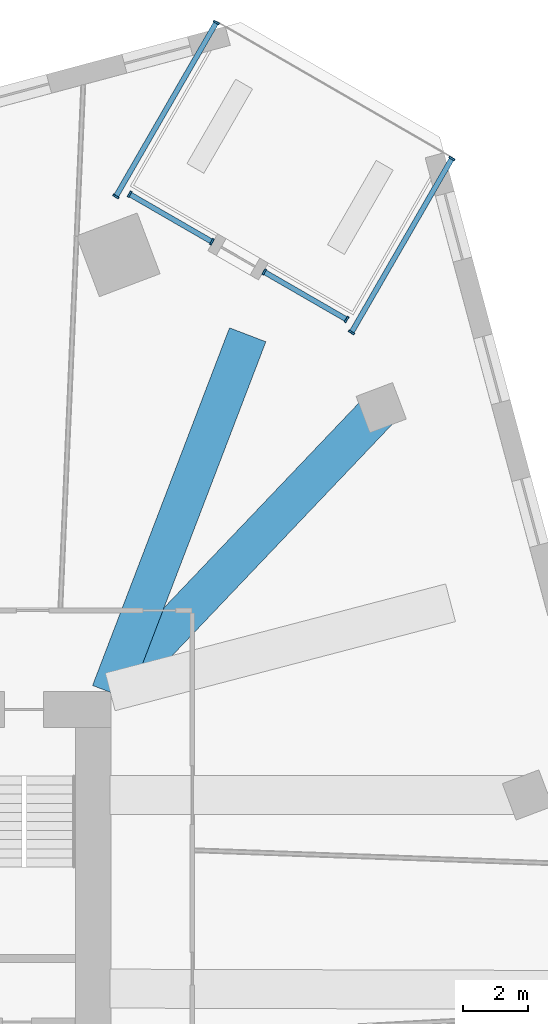
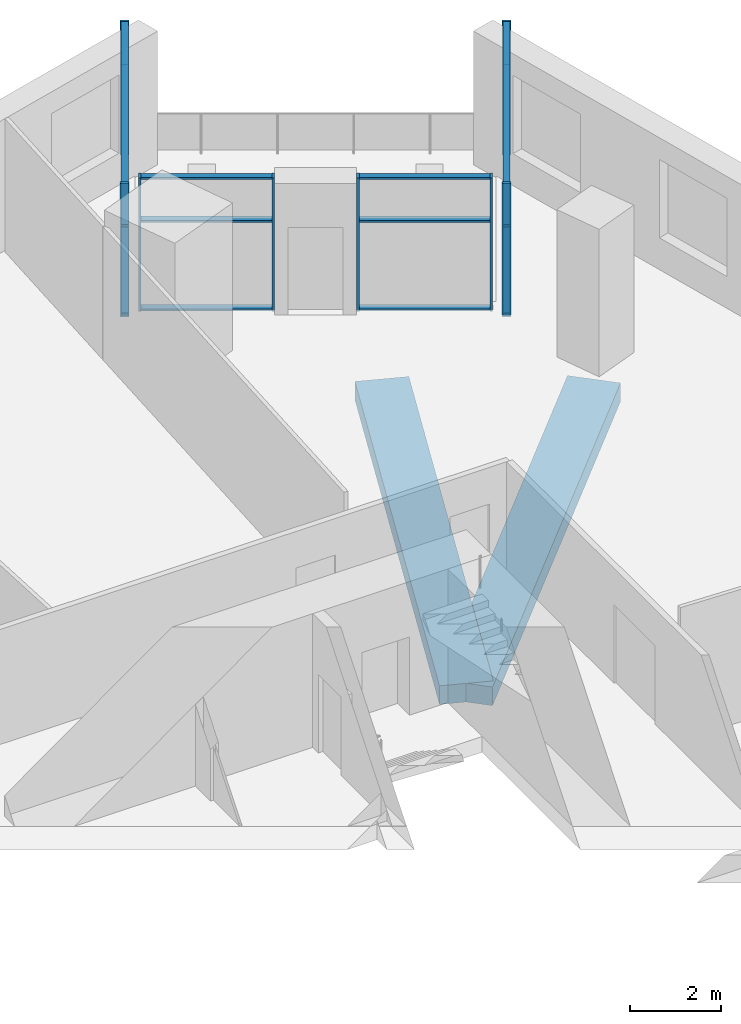
# One storey, part 2 of 11: 20 members, 2 beams, 4 elements without a shape of their own.
"""IFC4 building model written with IfcOpenShell, lengths in metres."""

from ifc_helpers import new_model, si_unit, direction, frame, origin, origin_2d, place, context, subcontext, project, spatial, rectangle, extrude, material, material_profile, profile_set, type_object, element, aggregate, save


model = new_model("IFC4")

# Units and contexts
model_context = context("Model", 3, precision=1e-05, world=origin(), true_north=direction((0.0, 1.0)))
body_context = subcontext(model_context, "Body", "Model", "MODEL_VIEW")
ifc_project = project(units=[si_unit("LENGTHUNIT", "METRE"), si_unit("AREAUNIT", "SQUARE_METRE"), si_unit("VOLUMEUNIT", "CUBIC_METRE"), si_unit("PLANEANGLEUNIT", "RADIAN"), si_unit("MASSUNIT", "GRAM", prefix="KILO")], contexts=[model_context])

# Site, building, storey
site_placement = place(None, origin())
site = spatial("IfcSite", under=ifc_project, at=site_placement, CompositionType="ELEMENT")
building_placement = place(site_placement, origin())
building = spatial("IfcBuilding", under=site, at=building_placement, Name="Dilmun Exchange Tower", CompositionType="ELEMENT")
storey_placement = place(building_placement, frame((0.0, 0.0, 82.10009765625)))
storey = spatial("IfcBuildingStorey", under=building, at=storey_placement, Name="L18", CompositionType="ELEMENT", Elevation=82.10009765625)

# Curtain wall, members
ifc_material_1 = material(Name="Anodised aluminium and clear glass", Category="aluminium")
curtain_wall_type = type_object("IfcCurtainWallType", Name="Garden corner glazing", PredefinedType="NOTDEFINED", material=ifc_material_1)
curtain_wall_1_placement = place(storey_placement, origin())
curtain_wall_1 = element("IfcCurtainWall", 1, at=curtain_wall_1_placement, inside=storey, type_object=curtain_wall_type, Name="Garden corner glazing run GC1.1", PredefinedType="NOTDEFINED")
ifc_material_2 = material(Name="Anodised aluminium", Category="aluminium")
ifc_material_profile_1 = material_profile(ifc_material_2, rectangle(XDim=0.199951171875, YDim=0.06005859375, at=origin_2d()), Name="AL 60x200")
ifc_profile_set_1 = profile_set([ifc_material_profile_1], Name="Anodised aluminium")
member_type_1 = type_object("IfcMemberType", Name="Garden corner glazing mullion 60 x 200", PredefinedType="MULLION", material=ifc_profile_set_1)
member_1_placement = place(storey_placement, frame((23.399169921875, 29.322021484375, 0.0), z_axis=(0.0, 0.0, 1.0), x_axis=(0.866020829694, -0.500007922473, 0.0)))
member_1 = element("IfcMember", 2, at=member_1_placement, type_object=member_type_1, Name="GC1.1 mullion 1", PredefinedType="MULLION", context=body_context, shape_type="SweptSolid", body=[
    extrude(rectangle(XDim=0.199951171875, YDim=0.06005859375, at=origin_2d()), origin(), (0.0, 0.0, 1.0), 3.579833984375),
])
member_2_placement = place(storey_placement, frame((20.305908203125, 23.96435546875, 0.0), z_axis=(0.0, 0.0, 1.0), x_axis=(0.866020829694, -0.500007922473, 0.0)))
member_2 = element("IfcMember", 3, at=member_2_placement, type_object=member_type_1, Name="GC1.1 mullion 2", PredefinedType="MULLION", context=body_context, shape_type="SweptSolid", body=[
    extrude(rectangle(XDim=0.199951171875, YDim=0.06005859375, at=origin_2d()), origin(), (0.0, 0.0, 1.0), 3.579833984375),
])

curtain_wall_2_placement = place(storey_placement, origin())
curtain_wall_2 = element("IfcCurtainWall", 4, at=curtain_wall_2_placement, inside=storey, type_object=curtain_wall_type, Name="Garden corner glazing run GC2.1", PredefinedType="NOTDEFINED")
member_3_placement = place(storey_placement, frame((20.155029296875, 24.363037109375, 0.0), z_axis=(0.0, 0.0, 1.0), x_axis=(-0.500017838036, -0.866015104744, 0.0)))
member_3 = element("IfcMember", 5, at=member_3_placement, type_object=member_type_1, Name="GC2.1 mullion 1", PredefinedType="MULLION", context=body_context, shape_type="SweptSolid", body=[
    extrude(rectangle(XDim=0.199951171875, YDim=0.06005859375, at=origin_2d()), origin(), (0.0, 0.0, 1.0), 3.579833984375),
])
member_4_placement = place(storey_placement, frame((17.618408203125, 25.82763671875, 0.0), z_axis=(0.0, 0.0, 1.0), x_axis=(-0.500017838036, -0.866015104744, 0.0)))
member_4 = element("IfcMember", 6, at=member_4_placement, type_object=member_type_1, Name="GC2.1 mullion 2", PredefinedType="MULLION", context=body_context, shape_type="SweptSolid", body=[
    extrude(rectangle(XDim=0.199951171875, YDim=0.06005859375, at=origin_2d()), origin(), (0.0, 0.0, 1.0), 3.579833984375),
])

curtain_wall_3_placement = place(storey_placement, origin())
curtain_wall_3 = element("IfcCurtainWall", 7, at=curtain_wall_3_placement, inside=storey, type_object=curtain_wall_type, Name="Garden corner glazing run GC2.3", PredefinedType="NOTDEFINED")
member_5_placement = place(storey_placement, frame((16.0078125, 26.7578125, 0.0), z_axis=(0.0, 0.0, 1.0), x_axis=(-0.499978260611, -0.866037954663, 0.0)))
member_5 = element("IfcMember", 8, at=member_5_placement, type_object=member_type_1, Name="GC2.3 mullion 1", PredefinedType="MULLION", context=body_context, shape_type="SweptSolid", body=[
    extrude(rectangle(XDim=0.199951171875, YDim=0.06005859375, at=origin_2d()), origin(), (0.0, 0.0, 1.0), 3.579833984375),
])
member_6_placement = place(storey_placement, frame((13.470947265625, 28.22216796875, 0.0), z_axis=(0.0, 0.0, 1.0), x_axis=(-0.499978260611, -0.866037954663, 0.0)))
member_6 = element("IfcMember", 9, at=member_6_placement, type_object=member_type_1, Name="GC2.3 mullion 2", PredefinedType="MULLION", context=body_context, shape_type="SweptSolid", body=[
    extrude(rectangle(XDim=0.199951171875, YDim=0.06005859375, at=origin_2d()), origin(), (0.0, 0.0, 1.0), 3.579833984375),
])

curtain_wall_4_placement = place(storey_placement, origin())
curtain_wall_4 = element("IfcCurtainWall", 10, at=curtain_wall_4_placement, inside=storey, type_object=curtain_wall_type, Name="Garden corner glazing run GC3.1", PredefinedType="NOTDEFINED")
member_7_placement = place(storey_placement, frame((13.05029296875, 28.1533203125, 0.0), z_axis=(0.0, 0.0, 1.0), x_axis=(-0.866027761828, 0.499995915726, 0.0)))
member_7 = element("IfcMember", 11, at=member_7_placement, type_object=member_type_1, Name="GC3.1 mullion 1", PredefinedType="MULLION", context=body_context, shape_type="SweptSolid", body=[
    extrude(rectangle(XDim=0.199951171875, YDim=0.06005859375, at=origin_2d()), origin(), (0.0, 0.0, 1.0), 3.579833984375),
])
member_8_placement = place(storey_placement, frame((16.143310546875, 33.510986328125, 0.0), z_axis=(0.0, 0.0, 1.0), x_axis=(-0.866027761828, 0.499995915726, 0.0)))
member_8 = element("IfcMember", 12, at=member_8_placement, type_object=member_type_1, Name="GC3.1 mullion 2", PredefinedType="MULLION", context=body_context, shape_type="SweptSolid", body=[
    extrude(rectangle(XDim=0.199951171875, YDim=0.06005859375, at=origin_2d()), origin(), (0.0, 0.0, 1.0), 3.579833984375),
])

# Member
ifc_material_profile_2 = material_profile(ifc_material_2, rectangle(XDim=0.159912109375, YDim=0.06005859375, at=origin_2d()), Name="AL 60x160")
ifc_profile_set_2 = profile_set([ifc_material_profile_2], Name="Anodised aluminium")
member_type_2 = type_object("IfcMemberType", Name="Garden corner glazing transom 60 x 160", PredefinedType="USERDEFINED", material=ifc_profile_set_2)
member_9_placement = place(storey_placement, frame((23.38427734375, 29.2958984375, 0.02978515625), z_axis=(-0.500030602552, -0.866007734672, 0.0), x_axis=(0.866007734672, -0.500030602552, 0.0)))
member_9 = element("IfcMember", 13, at=member_9_placement, type_object=member_type_2, Name="GC1.1 transom 1.1", ObjectType="TRANSOM", PredefinedType="USERDEFINED", context=body_context, shape_type="SweptSolid", body=[
    extrude(rectangle(XDim=0.159912109375, YDim=0.06005859375, at=origin_2d()), origin(), (0.0, 0.0, 1.0), 6.12646484375),
])

member_10_placement = place(storey_placement, frame((23.38427734375, 29.2958984375, 2.39990234375), z_axis=(-0.500030602552, -0.866007734672, 0.0), x_axis=(0.866007734672, -0.500030602552, 0.0)))
member_10 = element("IfcMember", 14, at=member_10_placement, type_object=member_type_2, Name="GC1.1 transom 1.2", ObjectType="TRANSOM", PredefinedType="USERDEFINED", context=body_context, shape_type="SweptSolid", body=[
    extrude(rectangle(XDim=0.159912109375, YDim=0.06005859375, at=origin_2d()), origin(), (0.0, 0.0, 1.0), 6.12646484375),
])

member_11_placement = place(storey_placement, frame((23.38427734375, 29.2958984375, 3.5498046875), z_axis=(-0.500030602552, -0.866007734672, 0.0), x_axis=(0.866007734672, -0.500030602552, 0.0)))
member_11 = element("IfcMember", 15, at=member_11_placement, type_object=member_type_2, Name="GC1.1 transom 1.3", ObjectType="TRANSOM", PredefinedType="USERDEFINED", context=body_context, shape_type="SweptSolid", body=[
    extrude(rectangle(XDim=0.159912109375, YDim=0.06005859375, at=origin_2d()), origin(), (0.0, 0.0, 1.0), 6.12646484375),
])

aggregate(curtain_wall_1, [member_1, member_2, member_9, member_10, member_11])

member_12_placement = place(storey_placement, frame((20.129150390625, 24.378173828125, 0.02978515625), z_axis=(-0.866014116846, 0.500019549041, 0.0), x_axis=(-0.500019549041, -0.866014116846, 0.0)))
member_12 = element("IfcMember", 16, at=member_12_placement, type_object=member_type_2, Name="GC2.1 transom 1.1", ObjectType="TRANSOM", PredefinedType="USERDEFINED", context=body_context, shape_type="SweptSolid", body=[
    extrude(rectangle(XDim=0.159912109375, YDim=0.06005859375, at=origin_2d()), origin(), (0.0, 0.0, 1.0), 2.869140625),
])

member_13_placement = place(storey_placement, frame((20.129150390625, 24.378173828125, 2.39990234375), z_axis=(-0.866014116846, 0.500019549041, 0.0), x_axis=(-0.500019549041, -0.866014116846, 0.0)))
member_13 = element("IfcMember", 17, at=member_13_placement, type_object=member_type_2, Name="GC2.1 transom 1.2", ObjectType="TRANSOM", PredefinedType="USERDEFINED", context=body_context, shape_type="SweptSolid", body=[
    extrude(rectangle(XDim=0.159912109375, YDim=0.06005859375, at=origin_2d()), origin(), (0.0, 0.0, 1.0), 2.869140625),
])

member_14_placement = place(storey_placement, frame((20.129150390625, 24.378173828125, 3.5498046875), z_axis=(-0.866014116846, 0.500019549041, 0.0), x_axis=(-0.500019549041, -0.866014116846, 0.0)))
member_14 = element("IfcMember", 18, at=member_14_placement, type_object=member_type_2, Name="GC2.1 transom 1.3", ObjectType="TRANSOM", PredefinedType="USERDEFINED", context=body_context, shape_type="SweptSolid", body=[
    extrude(rectangle(XDim=0.159912109375, YDim=0.06005859375, at=origin_2d()), origin(), (0.0, 0.0, 1.0), 2.869140625),
])

aggregate(curtain_wall_2, [member_3, member_4, member_12, member_13, member_14])

member_15_placement = place(storey_placement, frame((15.981689453125, 26.772705078125, 0.02978515625), z_axis=(-0.866014116846, 0.500019549041, 0.0), x_axis=(-0.500019549041, -0.866014116846, 0.0)))
member_15 = element("IfcMember", 19, at=member_15_placement, type_object=member_type_2, Name="GC2.3 transom 1.1", ObjectType="TRANSOM", PredefinedType="USERDEFINED", context=body_context, shape_type="SweptSolid", body=[
    extrude(rectangle(XDim=0.159912109375, YDim=0.06005859375, at=origin_2d()), origin(), (0.0, 0.0, 1.0), 2.869140625),
])

member_16_placement = place(storey_placement, frame((15.981689453125, 26.772705078125, 2.39990234375), z_axis=(-0.866014116846, 0.500019549041, 0.0), x_axis=(-0.500019549041, -0.866014116846, 0.0)))
member_16 = element("IfcMember", 20, at=member_16_placement, type_object=member_type_2, Name="GC2.3 transom 1.2", ObjectType="TRANSOM", PredefinedType="USERDEFINED", context=body_context, shape_type="SweptSolid", body=[
    extrude(rectangle(XDim=0.159912109375, YDim=0.06005859375, at=origin_2d()), origin(), (0.0, 0.0, 1.0), 2.869140625),
])

member_17_placement = place(storey_placement, frame((15.981689453125, 26.772705078125, 3.5498046875), z_axis=(-0.866014116846, 0.500019549041, 0.0), x_axis=(-0.500019549041, -0.866014116846, 0.0)))
member_17 = element("IfcMember", 21, at=member_17_placement, type_object=member_type_2, Name="GC2.3 transom 1.3", ObjectType="TRANSOM", PredefinedType="USERDEFINED", context=body_context, shape_type="SweptSolid", body=[
    extrude(rectangle(XDim=0.159912109375, YDim=0.06005859375, at=origin_2d()), origin(), (0.0, 0.0, 1.0), 2.869140625),
])

aggregate(curtain_wall_3, [member_5, member_6, member_15, member_16, member_17])

member_18_placement = place(storey_placement, frame((13.065185546875, 28.179443359375, 0.02978515625), z_axis=(0.500000715809, 0.866024990512, 0.0), x_axis=(-0.866024990512, 0.500000715809, 0.0)))
member_18 = element("IfcMember", 22, at=member_18_placement, type_object=member_type_2, Name="GC3.1 transom 1.1", ObjectType="TRANSOM", PredefinedType="USERDEFINED", context=body_context, shape_type="SweptSolid", body=[
    extrude(rectangle(XDim=0.159912109375, YDim=0.06005859375, at=origin_2d()), origin(), (0.0, 0.0, 1.0), 6.12646484375),
])

member_19_placement = place(storey_placement, frame((13.065185546875, 28.179443359375, 2.39990234375), z_axis=(0.500000715809, 0.866024990512, 0.0), x_axis=(-0.866024990512, 0.500000715809, 0.0)))
member_19 = element("IfcMember", 23, at=member_19_placement, type_object=member_type_2, Name="GC3.1 transom 1.2", ObjectType="TRANSOM", PredefinedType="USERDEFINED", context=body_context, shape_type="SweptSolid", body=[
    extrude(rectangle(XDim=0.159912109375, YDim=0.06005859375, at=origin_2d()), origin(), (0.0, 0.0, 1.0), 6.12646484375),
])

member_20_placement = place(storey_placement, frame((13.065185546875, 28.179443359375, 3.5498046875), z_axis=(0.500000715809, 0.866024990512, 0.0), x_axis=(-0.866024990512, 0.500000715809, 0.0)))
member_20 = element("IfcMember", 24, at=member_20_placement, type_object=member_type_2, Name="GC3.1 transom 1.3", ObjectType="TRANSOM", PredefinedType="USERDEFINED", context=body_context, shape_type="SweptSolid", body=[
    extrude(rectangle(XDim=0.159912109375, YDim=0.06005859375, at=origin_2d()), origin(), (0.0, 0.0, 1.0), 6.12646484375),
])

aggregate(curtain_wall_4, [member_7, member_8, member_18, member_19, member_20])

# Beams
ifc_material_3 = material(Name="Concrete C40/50", Category="concrete")
ifc_material_profile_3 = material_profile(ifc_material_3, rectangle(XDim=1.199951171875, YDim=0.5, at=origin_2d()), Name="1200 x 500")
ifc_profile_set_3 = profile_set([ifc_material_profile_3], Name="Concrete C40/50")
beam_type = type_object("IfcBeamType", Name="RC band beam 1200 x 500 C40/50", PredefinedType="BEAM", material=ifc_profile_set_3)
beam_1_placement = place(storey_placement, frame((21.135498046875, 21.55517578125, -0.77001953125), z_axis=(-0.689323667633, -0.724453505231, 0.0), x_axis=(0.724453505231, -0.689323667633, 0.0)))
element("IfcBeam", 25, at=beam_1_placement, inside=storey, type_object=beam_type, Name="Band beam 12", PredefinedType="BEAM", context=body_context, shape_type="SweptSolid", body=[
    extrude(rectangle(XDim=1.199951171875, YDim=0.5, at=origin_2d()), origin(), (0.0, 0.0, 1.0), 11.974365234375),
])
beam_2_placement = place(storey_placement, frame((17.109130859375, 23.892333984375, -0.77001953125), z_axis=(-0.357591973104, -0.933877926054, 0.0), x_axis=(0.933877926054, -0.357591973104, 0.0)))
element("IfcBeam", 26, at=beam_2_placement, inside=storey, type_object=beam_type, Name="Band beam 28", PredefinedType="BEAM", context=body_context, shape_type="SweptSolid", body=[
    extrude(rectangle(XDim=1.199951171875, YDim=0.5, at=origin_2d()), origin(), (0.0, 0.0, 1.0), 11.797607421875),
])

save(model, "model.ifc")
